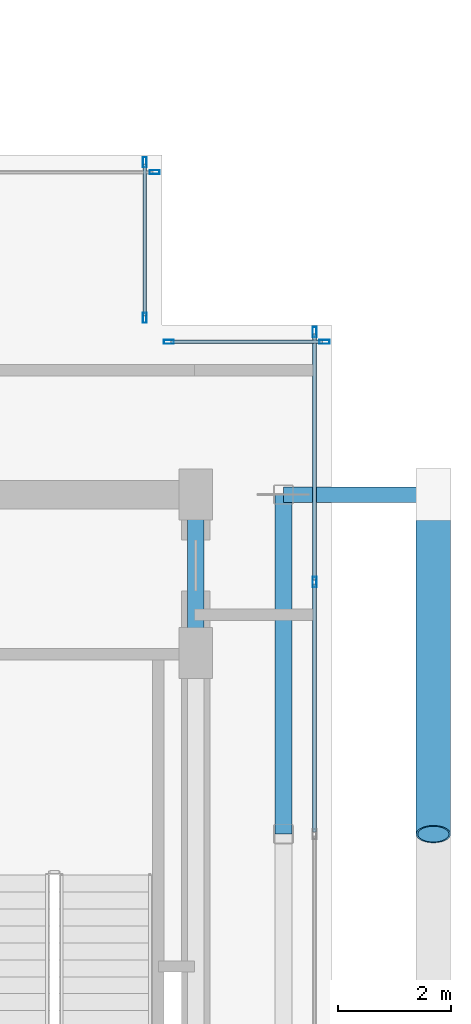
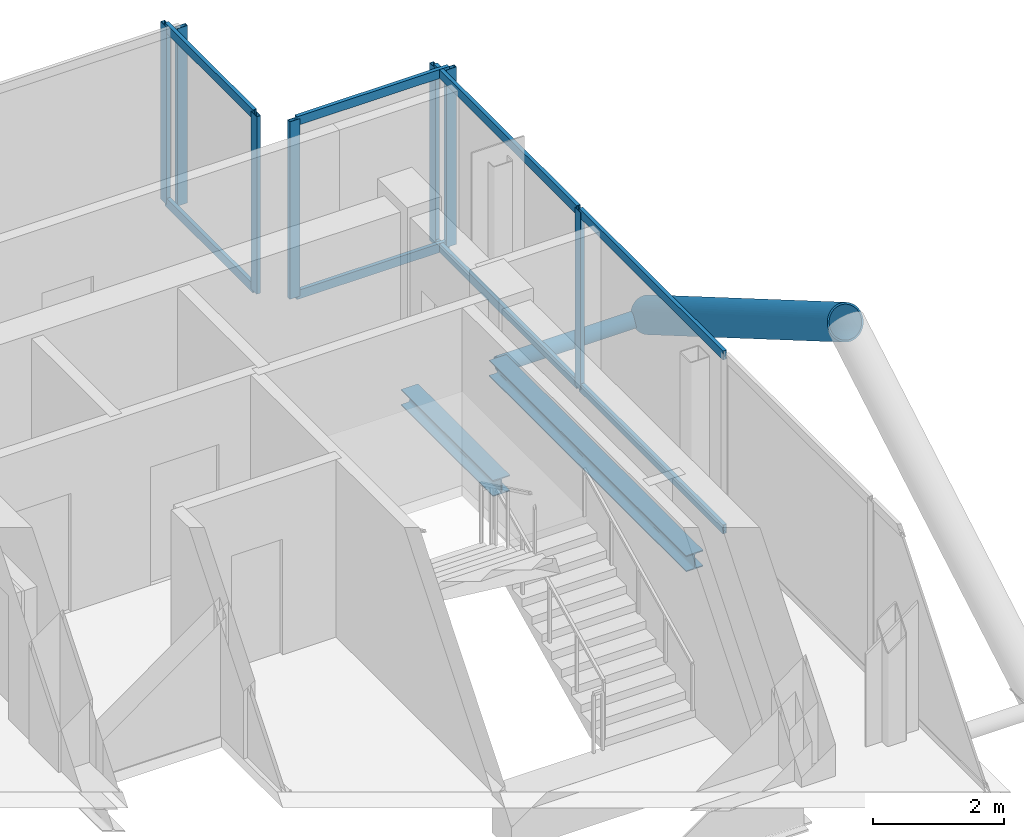
# One storey, part 13 of 19: 17 members, 2 beams, 4 elements without a shape of their own.
"""IFC4 building model written with IfcOpenShell, lengths in metres."""

import ifcopenshell
import ifcopenshell.guid

model = None  # the IFC model being written
_history = None  # IfcOwnerHistory: only IFC2X3 demands one
_inside = {}  # id of a spatial element -> (the spatial element, [elements in it])
_under = {}  # id of a project, library or spatial element -> (it, [spatial elements below it])
_declared = {}  # id of a project -> (the project, [libraries it declares])
_typed = {}  # id of a type object -> (the type object, [elements of that type])
_made_of = {}  # id of a material, layer set ... -> (it, [elements and type objects made of it])


def new_model(schema):
    """Start an empty IFC model of exactly this schema.

    Asked for "IFC4X3", IfcOpenShell would pick the latest addendum, in which some entities
    have other attributes; the version numbers below select the first issue.
    IFC2X3 requires an IfcOwnerHistory on every rooted entity: one is made here for all.
    """
    global model, _history
    if schema == "IFC4X3":
        model = ifcopenshell.file(schema_version=(4, 3, 0, 0))
    else:
        model = ifcopenshell.file(schema=schema)
    _inside.clear()
    _under.clear()
    _declared.clear()
    _typed.clear()
    _made_of.clear()
    _history = None
    if model.schema == "IFC2X3":
        org = make("IfcOrganization", Name="unknown")
        user = make(
            "IfcPersonAndOrganization",
            ThePerson=make("IfcPerson", FamilyName="unknown"),
            TheOrganization=org,
        )
        app = make(
            "IfcApplication",
            ApplicationDeveloper=org,
            Version="unknown",
            ApplicationFullName="unknown",
            ApplicationIdentifier="unknown",
        )
        _history = make(
            "IfcOwnerHistory",
            OwningUser=user,
            OwningApplication=app,
            ChangeAction="ADDED",
            CreationDate=0,
        )
    return model


def make(cls, **values):
    """One entity of the class cls with the attributes given. An attribute that is None is left unset."""
    return model.create_entity(
        cls, **{name: value for name, value in values.items() if value is not None}
    )


def rooted(cls, **values):
    """An entity with a GlobalId (a new one), such as an element, a storey or a relation."""
    return make(cls, GlobalId=ifcopenshell.guid.new(), OwnerHistory=_history, **values)


def si_unit(unit_type, name, prefix=None):
    """IfcSIUnit, for example si_unit("LENGTHUNIT", "METRE", prefix="MILLI")."""
    return make("IfcSIUnit", UnitType=unit_type, Prefix=prefix, Name=name)


def assignment(units):
    """IfcUnitAssignment: the units of a project."""
    return None if units is None else make("IfcUnitAssignment", Units=units)


def point(xyz):
    """IfcCartesianPoint."""
    return None if xyz is None else make("IfcCartesianPoint", Coordinates=xyz)


def direction(xyz):
    """IfcDirection."""
    return None if xyz is None else make("IfcDirection", DirectionRatios=xyz)


def frame(location, z_axis=None, x_axis=None):
    """IfcAxis2Placement3D, a coordinate frame: its origin and axes. An axis left out is left unset."""
    return make(
        "IfcAxis2Placement3D",
        Location=point(location),
        Axis=direction(z_axis),
        RefDirection=direction(x_axis),
    )


def frame_2d(location, x_axis=None):
    """IfcAxis2Placement2D, a coordinate frame in the plane: its origin and x axis."""
    return make(
        "IfcAxis2Placement2D", Location=point(location), RefDirection=direction(x_axis)
    )


def origin():
    """The frame at (0, 0, 0) with its axes left unset."""
    return frame((0.0, 0.0, 0.0))


def origin_2d():
    """The frame at (0, 0) in the plane with its x axis left unset."""
    return frame_2d((0.0, 0.0))


def place(relative_to, where):
    """IfcLocalPlacement: puts the frame where relative to a parent placement (None: the world)."""
    return make(
        "IfcLocalPlacement", PlacementRelTo=relative_to, RelativePlacement=where
    )


def context(
    kind, dimensions, precision=None, world=None, true_north=None, identifier=None
):
    """IfcGeometricRepresentationContext, for example the 3D "Model" context."""
    return make(
        "IfcGeometricRepresentationContext",
        ContextIdentifier=identifier,
        ContextType=kind,
        CoordinateSpaceDimension=dimensions,
        Precision=precision,
        WorldCoordinateSystem=world,
        TrueNorth=true_north,
    )


def subcontext(parent, identifier, kind, view, scale=None):
    """IfcGeometricRepresentationSubContext, for example "Body" below "Model"."""
    return make(
        "IfcGeometricRepresentationSubContext",
        ContextIdentifier=identifier,
        ContextType=kind,
        ParentContext=parent,
        TargetScale=scale,
        TargetView=view,
    )


def project(units=None, contexts=None):
    """IfcProject with its units and contexts."""
    return rooted(
        "IfcProject",
        Name="project",
        RepresentationContexts=contexts,
        UnitsInContext=assignment(units),
    )


def spatial(cls, under=None, at=None, **own):
    """A site, building, storey or space (cls), placed at a placement, below another one or the project."""
    s = rooted(cls, ObjectPlacement=at, **own)
    if under is not None:
        _under.setdefault(under.id(), (under, []))[1].append(s)
    return s


def profile(cls, at=None, kind="AREA", **sizes):
    """A parametric profile (cls). Its sizes go by their IFC names, for example OverallWidth=200.0."""
    return make(cls, ProfileType=kind, Position=at, **sizes)


def hollow_rectangle(**sizes):
    """IfcRectangleHollowProfileDef."""
    return profile("IfcRectangleHollowProfileDef", **sizes)


def hollow_circle(**sizes):
    """IfcCircleHollowProfileDef."""
    return profile("IfcCircleHollowProfileDef", **sizes)


def i_section(**sizes):
    """IfcIShapeProfileDef."""
    return profile("IfcIShapeProfileDef", **sizes)


def extrude(swept, where, along, depth):
    """IfcExtrudedAreaSolid: the profile swept, set in the frame where, extruded along a direction by depth."""
    return make(
        "IfcExtrudedAreaSolid",
        SweptArea=swept,
        Position=where,
        ExtrudedDirection=direction(along),
        Depth=depth,
    )


def shape(context_of_items, identifier, shape_type, items):
    """IfcShapeRepresentation: the items that make up one representation, for example the "Body"."""
    return make(
        "IfcShapeRepresentation",
        ContextOfItems=context_of_items,
        RepresentationIdentifier=identifier,
        RepresentationType=shape_type,
        Items=items,
    )


def material(Name=None, Category=None):
    """IfcMaterial."""
    return make("IfcMaterial", Name=Name, Category=Category)


def layer(
    of_material, thickness, ventilated=None, Name=None, Category=None, Priority=None
):
    """IfcMaterialLayer: one layer of a wall or slab, of a material (None: an air gap)."""
    return make(
        "IfcMaterialLayer",
        Material=of_material,
        LayerThickness=thickness,
        IsVentilated=ventilated,
        Name=Name,
        Category=Category,
        Priority=Priority,
    )


def layer_set(layers, Name=None):
    """IfcMaterialLayerSet."""
    return make("IfcMaterialLayerSet", MaterialLayers=layers, LayerSetName=Name)


def material_profile(
    of_material, cross_section, Name=None, Category=None, Priority=None
):
    """IfcMaterialProfile: a cross section and its material."""
    return make(
        "IfcMaterialProfile",
        Name=Name,
        Material=of_material,
        Profile=cross_section,
        Priority=Priority,
        Category=Category,
    )


def profile_set(profiles, Name=None, composite=None):
    """IfcMaterialProfileSet."""
    return make(
        "IfcMaterialProfileSet",
        Name=Name,
        MaterialProfiles=profiles,
        CompositeProfile=composite,
    )


def made_of(thing, what):
    """Note that an element or type object is made of a material, layer set ...; save() writes the relation."""
    if what is not None:
        _made_of.setdefault(what.id(), (what, []))[1].append(thing)
    return thing


def type_object(cls, material=None, **own):
    """A type object (cls), such as IfcWallType, which elements share."""
    return made_of(rooted(cls, **own), material)


def element(
    cls,
    number,
    at=None,
    inside=None,
    cuts=None,
    type_object=None,
    material=None,
    context=None,
    identifier="Body",
    shape_type=None,
    held_by="IfcProductDefinitionShape",
    body=None,
    shapes=None,
    **own,
):
    """One element of the class cls, such as IfcWall. Its Tag is "e" and its number.

    at: its placement. inside: the storey or other place that contains it. cuts: it is an
    opening in that element (IfcRelVoidsElement). A single representation is given by context,
    identifier, shape_type and body (its items); several are given by shapes. held_by: the class
    of the entity that holds the representations. save() writes the other relations.
    """
    e = rooted(cls, Tag="e%d" % number, ObjectPlacement=at, **own)
    if body is not None:
        shapes = [shape(context, identifier, shape_type, body)]
    if shapes is not None:
        e.Representation = make(held_by, Representations=shapes)
    if inside is not None:
        _inside.setdefault(inside.id(), (inside, []))[1].append(e)
    if cuts is not None:
        rooted(
            "IfcRelVoidsElement", RelatingBuildingElement=cuts, RelatedOpeningElement=e
        )
    if type_object is not None:
        _typed.setdefault(type_object.id(), (type_object, []))[1].append(e)
    return made_of(e, material)


def aggregate(whole, parts):
    """IfcRelAggregates: a whole, such as a stair, and the parts it consists of."""
    return rooted("IfcRelAggregates", RelatingObject=whole, RelatedObjects=parts)


def save(model, path):
    """Write the relations noted so far, then the file.

    IfcRelAggregates (storeys below a building ...), IfcRelContainedInSpatialStructure (elements
    in a storey), IfcRelDefinesByType, IfcRelAssociatesMaterial and IfcRelDeclares: one each for
    every whole, place, type object, material and project.
    """
    for whole, parts in _under.values():
        aggregate(whole, parts)
    for where, things in _inside.values():
        rooted(
            "IfcRelContainedInSpatialStructure",
            RelatedElements=things,
            RelatingStructure=where,
        )
    for kind, things in _typed.values():
        rooted("IfcRelDefinesByType", RelatedObjects=things, RelatingType=kind)
    for what, things in _made_of.values():
        rooted("IfcRelAssociatesMaterial", RelatedObjects=things, RelatingMaterial=what)
    for by, libraries in _declared.values():
        rooted("IfcRelDeclares", RelatingContext=by, RelatedDefinitions=libraries)
    model.write(path)


model = new_model("IFC4")

# Units and contexts
model_context = context("Model", 3, precision=1e-05, world=origin(), true_north=direction((0.0, 1.0)))
body_context = subcontext(model_context, "Body", "Model", "MODEL_VIEW")
ifc_project = project(units=[si_unit("LENGTHUNIT", "METRE"), si_unit("AREAUNIT", "SQUARE_METRE"), si_unit("VOLUMEUNIT", "CUBIC_METRE"), si_unit("PLANEANGLEUNIT", "RADIAN"), si_unit("MASSUNIT", "GRAM", prefix="KILO"), si_unit("THERMODYNAMICTEMPERATUREUNIT", "KELVIN"), si_unit("POWERUNIT", "WATT")], contexts=[model_context])

# Site, building, storey
site_placement = place(None, origin())
site = spatial("IfcSite", under=ifc_project, at=site_placement, CompositionType="ELEMENT")
building_placement = place(site_placement, origin())
building = spatial("IfcBuilding", under=site, at=building_placement, Name="Svarakhadi Broadcast Tower", CompositionType="ELEMENT")
storey_placement = place(building_placement, frame((0.0, 0.0, 257.199951171875)))
storey = spatial("IfcBuildingStorey", under=building, at=storey_placement, Name="L64", CompositionType="ELEMENT", Elevation=257.199951171875)

# Curtain wall, member
ifc_material_1 = material(Name="Anodised Bronze Aluminium AA 6063-T6", Category="aluminium")
ifc_layer = layer(ifc_material_1, 0.179931640625)
ifc_layer_set = layer_set([ifc_layer], Name="Anodised Bronze Aluminium AA 6063-T6")
curtain_wall_type = type_object("IfcCurtainWallType", Name="CW_Sys_05", PredefinedType="NOTDEFINED", material=ifc_layer_set)
curtain_wall_1_placement = place(storey_placement, origin())
curtain_wall_1 = element("IfcCurtainWall", 1, at=curtain_wall_1_placement, inside=storey, type_object=curtain_wall_type, Name="L64 Unitised Facade Curtain Wall 09", PredefinedType="NOTDEFINED")
ifc_material_profile_1 = material_profile(ifc_material_1, hollow_rectangle(XDim=0.070068359375, YDim=0.179931640625, WallThickness=0.005615234375, at=origin_2d()), Name="ALU MULLION 180x70x6")
ifc_profile_set_1 = profile_set([ifc_material_profile_1], Name="Anodised Bronze Aluminium AA 6063-T6")
member_type_1 = type_object("IfcMemberType", Name="CW_Sys_05_Mul", PredefinedType="MULLION", material=ifc_profile_set_1)
member_1_placement = place(storey_placement, frame((32.875, 23.699951171875, 0.0), z_axis=(0.0, 0.0, 1.0), x_axis=(0.0, 1.0, 0.0)))
member_1 = element("IfcMember", 2, at=member_1_placement, type_object=member_type_1, Name="CW-05 mullion 2", PredefinedType="MULLION", context=body_context, shape_type="SweptSolid", body=[
    extrude(hollow_rectangle(XDim=0.070068359375, YDim=0.179931640625, WallThickness=0.005615234375, at=origin_2d()), origin(), (0.0, 0.0, 1.0), 3.300048828125),
])
aggregate(curtain_wall_1, [member_1])

# Curtain wall, members
curtain_wall_2_placement = place(storey_placement, origin())
curtain_wall_2 = element("IfcCurtainWall", 3, at=curtain_wall_2_placement, inside=storey, type_object=curtain_wall_type, Name="L64 Unitised Facade Curtain Wall 10", PredefinedType="NOTDEFINED")
member_2_placement = place(storey_placement, frame((32.699951171875, 23.875, 0.0), z_axis=(0.0, 0.0, 1.0), x_axis=(1.0, 0.0, 0.0)))
member_2 = element("IfcMember", 4, at=member_2_placement, type_object=member_type_1, Name="CW-05 mullion 1", PredefinedType="MULLION", context=body_context, shape_type="SweptSolid", body=[
    extrude(hollow_rectangle(XDim=0.070068359375, YDim=0.179931640625, WallThickness=0.005615234375, at=origin_2d()), origin(), (0.0, 0.0, 1.0), 3.300048828125),
])
member_3_placement = place(storey_placement, frame((32.699951171875, 21.125, 0.0), z_axis=(0.0, 0.0, 1.0), x_axis=(1.0, 0.0, 0.0)))
member_3 = element("IfcMember", 5, at=member_3_placement, type_object=member_type_1, Name="CW-05 mullion 2", PredefinedType="MULLION", context=body_context, shape_type="SweptSolid", body=[
    extrude(hollow_rectangle(XDim=0.070068359375, YDim=0.179931640625, WallThickness=0.005615234375, at=origin_2d()), origin(), (0.0, 0.0, 1.0), 3.300048828125),
])

curtain_wall_3_placement = place(storey_placement, origin())
curtain_wall_3 = element("IfcCurtainWall", 6, at=curtain_wall_3_placement, inside=storey, type_object=curtain_wall_type, Name="L64 Unitised Facade Curtain Wall 11", PredefinedType="NOTDEFINED")
member_4_placement = place(storey_placement, frame((33.125, 20.699951171875, 0.0), z_axis=(0.0, 0.0, 1.0), x_axis=(0.0, 1.0, 0.0)))
member_4 = element("IfcMember", 7, at=member_4_placement, type_object=member_type_1, Name="CW-05 mullion 1", PredefinedType="MULLION", context=body_context, shape_type="SweptSolid", body=[
    extrude(hollow_rectangle(XDim=0.070068359375, YDim=0.179931640625, WallThickness=0.005615234375, at=origin_2d()), origin(), (0.0, 0.0, 1.0), 3.300048828125),
])
member_5_placement = place(storey_placement, frame((35.875, 20.699951171875, 0.0), z_axis=(0.0, 0.0, 1.0), x_axis=(0.0, 1.0, 0.0)))
member_5 = element("IfcMember", 8, at=member_5_placement, type_object=member_type_1, Name="CW-05 mullion 2", PredefinedType="MULLION", context=body_context, shape_type="SweptSolid", body=[
    extrude(hollow_rectangle(XDim=0.070068359375, YDim=0.179931640625, WallThickness=0.005615234375, at=origin_2d()), origin(), (0.0, 0.0, 1.0), 3.300048828125),
])

curtain_wall_4_placement = place(storey_placement, origin())
curtain_wall_4 = element("IfcCurtainWall", 9, at=curtain_wall_4_placement, inside=storey, type_object=curtain_wall_type, Name="L64 Unitised Facade Curtain Wall 12", PredefinedType="NOTDEFINED")
member_6_placement = place(storey_placement, frame((35.699951171875, 20.875, 0.0), z_axis=(0.0, 0.0, 1.0), x_axis=(1.0, 0.0, 0.0)))
member_6 = element("IfcMember", 10, at=member_6_placement, type_object=member_type_1, Name="CW-05 mullion 1", PredefinedType="MULLION", context=body_context, shape_type="SweptSolid", body=[
    extrude(hollow_rectangle(XDim=0.070068359375, YDim=0.179931640625, WallThickness=0.005615234375, at=origin_2d()), origin(), (0.0, 0.0, 1.0), 3.300048828125),
])
member_7_placement = place(storey_placement, frame((35.699951171875, 16.455078125, 0.0), z_axis=(0.0, 0.0, 1.0), x_axis=(1.0, 0.0, 0.0)))
member_7 = element("IfcMember", 11, at=member_7_placement, type_object=member_type_1, Name="CW-05 mullion 2", PredefinedType="MULLION", context=body_context, shape_type="SweptSolid", body=[
    extrude(hollow_rectangle(XDim=0.070068359375, YDim=0.179931640625, WallThickness=0.005615234375, at=origin_2d()), origin(), (0.0, 0.0, 1.0), 3.300048828125),
])

# Member
ifc_material_profile_2 = material_profile(ifc_material_1, hollow_rectangle(XDim=0.06494140625, YDim=0.1650390625, WallThickness=0.0048828125, at=origin_2d()), Name="ALU TRANSOM 165x65x5")
ifc_profile_set_2 = profile_set([ifc_material_profile_2], Name="Anodised Bronze Aluminium AA 6063-T6")
member_type_2 = type_object("IfcMemberType", Name="CW_Sys_05_Trn", PredefinedType="USERDEFINED", material=ifc_profile_set_2)
member_8_placement = place(storey_placement, frame((32.699951171875, 23.840087890625, 0.032470703125), z_axis=(0.0, -1.0, 0.0), x_axis=(1.0, 0.0, 0.0)))
member_8 = element("IfcMember", 12, at=member_8_placement, type_object=member_type_2, Name="CW-05 transom 1.1", ObjectType="TRANSOM", PredefinedType="USERDEFINED", context=body_context, shape_type="SweptSolid", body=[
    extrude(hollow_rectangle(XDim=0.06494140625, YDim=0.1650390625, WallThickness=0.0048828125, at=origin_2d()), origin(), (0.0, 0.0, 1.0), 2.68017578125),
])

member_9_placement = place(storey_placement, frame((32.699951171875, 23.840087890625, 3.267578125), z_axis=(0.0, -1.0, 0.0), x_axis=(1.0, 0.0, 0.0)))
member_9 = element("IfcMember", 13, at=member_9_placement, type_object=member_type_2, Name="CW-05 transom 1.2", ObjectType="TRANSOM", PredefinedType="USERDEFINED", context=body_context, shape_type="SweptSolid", body=[
    extrude(hollow_rectangle(XDim=0.06494140625, YDim=0.1650390625, WallThickness=0.0048828125, at=origin_2d()), origin(), (0.0, 0.0, 1.0), 2.68017578125),
])

aggregate(curtain_wall_2, [member_2, member_3, member_8, member_9])

member_10_placement = place(storey_placement, frame((33.159912109375, 20.699951171875, 0.032470703125), z_axis=(1.0, 0.0, 0.0), x_axis=(0.0, 1.0, 0.0)))
member_10 = element("IfcMember", 14, at=member_10_placement, type_object=member_type_2, Name="CW-05 transom 1.1", ObjectType="TRANSOM", PredefinedType="USERDEFINED", context=body_context, shape_type="SweptSolid", body=[
    extrude(hollow_rectangle(XDim=0.06494140625, YDim=0.1650390625, WallThickness=0.0048828125, at=origin_2d()), origin(), (0.0, 0.0, 1.0), 2.68017578125),
])

member_11_placement = place(storey_placement, frame((33.159912109375, 20.699951171875, 3.267578125), z_axis=(1.0, 0.0, 0.0), x_axis=(0.0, 1.0, 0.0)))
member_11 = element("IfcMember", 15, at=member_11_placement, type_object=member_type_2, Name="CW-05 transom 1.2", ObjectType="TRANSOM", PredefinedType="USERDEFINED", context=body_context, shape_type="SweptSolid", body=[
    extrude(hollow_rectangle(XDim=0.06494140625, YDim=0.1650390625, WallThickness=0.0048828125, at=origin_2d()), origin(), (0.0, 0.0, 1.0), 2.68017578125),
])

aggregate(curtain_wall_3, [member_4, member_5, member_10, member_11])

member_12_placement = place(storey_placement, frame((35.699951171875, 20.840087890625, 0.032470703125), z_axis=(0.0, -1.0, 0.0), x_axis=(1.0, 0.0, 0.0)))
member_12 = element("IfcMember", 16, at=member_12_placement, type_object=member_type_2, Name="CW-05 transom 1.1", ObjectType="TRANSOM", PredefinedType="USERDEFINED", context=body_context, shape_type="SweptSolid", body=[
    extrude(hollow_rectangle(XDim=0.06494140625, YDim=0.1650390625, WallThickness=0.0048828125, at=origin_2d()), origin(), (0.0, 0.0, 1.0), 4.35009765625),
])

member_13_placement = place(storey_placement, frame((35.699951171875, 20.840087890625, 3.267578125), z_axis=(0.0, -1.0, 0.0), x_axis=(1.0, 0.0, 0.0)))
member_13 = element("IfcMember", 17, at=member_13_placement, type_object=member_type_2, Name="CW-05 transom 1.2", ObjectType="TRANSOM", PredefinedType="USERDEFINED", context=body_context, shape_type="SweptSolid", body=[
    extrude(hollow_rectangle(XDim=0.06494140625, YDim=0.1650390625, WallThickness=0.0048828125, at=origin_2d()), origin(), (0.0, 0.0, 1.0), 4.35009765625),
])

member_14_placement = place(storey_placement, frame((35.699951171875, 16.419921875, 0.032470703125), z_axis=(0.0, -1.0, 0.0), x_axis=(1.0, 0.0, 0.0)))
member_14 = element("IfcMember", 18, at=member_14_placement, type_object=member_type_2, Name="CW-05 transom 2.1", ObjectType="TRANSOM", PredefinedType="USERDEFINED", context=body_context, shape_type="SweptSolid", body=[
    extrude(hollow_rectangle(XDim=0.06494140625, YDim=0.1650390625, WallThickness=0.0048828125, at=origin_2d()), origin(), (0.0, 0.0, 1.0), 4.385009765625),
])

member_15_placement = place(storey_placement, frame((35.699951171875, 16.419921875, 3.267578125), z_axis=(0.0, -1.0, 0.0), x_axis=(1.0, 0.0, 0.0)))
member_15 = element("IfcMember", 19, at=member_15_placement, type_object=member_type_2, Name="CW-05 transom 2.2", ObjectType="TRANSOM", PredefinedType="USERDEFINED", context=body_context, shape_type="SweptSolid", body=[
    extrude(hollow_rectangle(XDim=0.06494140625, YDim=0.1650390625, WallThickness=0.0048828125, at=origin_2d()), origin(), (0.0, 0.0, 1.0), 4.385009765625),
])

aggregate(curtain_wall_4, [member_6, member_7, member_12, member_13, member_14, member_15])

# Members
ifc_material_2 = material(Name="Steel S460ML (IS 2062 E450BR)", Category="steel")
ifc_material_profile_3 = material_profile(ifc_material_2, hollow_circle(Radius=0.304931640625, WallThickness=0.030029296875, at=origin_2d()), Name="CHS 610x30")
ifc_profile_set_3 = profile_set([ifc_material_profile_3], Name="Steel S460ML (IS 2062 E450BR)")
member_type_3 = type_object("IfcMemberType", Name="Exo_Brace_CHS610", PredefinedType="BRACE", material=ifc_profile_set_3)
member_16_placement = place(storey_placement, frame((37.800048828125, 18.0, -0.33642578125), z_axis=(0.0, -0.863778900898, 0.503871025524), x_axis=(1.0, 0.0, 0.0)))
element("IfcMember", 20, at=member_16_placement, inside=storey, type_object=member_type_3, Name="L64 Exposed Bronze Exoskeleton Diagonal E05", PredefinedType="BRACE", context=body_context, shape_type="SweptSolid", body=[
    extrude(hollow_circle(Radius=0.304931640625, WallThickness=0.030029296875, at=origin_2d()), origin(), (0.0, 0.0, 1.0), 6.9462890625),
])
ifc_material_profile_4 = material_profile(ifc_material_2, hollow_circle(Radius=0.136474609375, WallThickness=0.012451171875, at=origin_2d()), Name="CHS 273x12.5")
ifc_profile_set_4 = profile_set([ifc_material_profile_4], Name="Steel S460ML (IS 2062 E450BR)")
member_type_4 = type_object("IfcMemberType", Name="Exo_Radial_Strut_Z3", PredefinedType="STRUT", material=ifc_profile_set_4)
member_17_placement = place(storey_placement, frame((37.800048828125, 18.0, -0.33642578125), z_axis=(-1.0, 0.0, 0.0), x_axis=(0.0, -1.0, 0.0)))
element("IfcMember", 21, at=member_17_placement, inside=storey, type_object=member_type_4, Name="L64 Exoskeleton Radial Tie Strut E06", PredefinedType="STRUT", context=body_context, shape_type="SweptSolid", body=[
    extrude(hollow_circle(Radius=0.136474609375, WallThickness=0.012451171875, at=origin_2d()), origin(), (0.0, 0.0, 1.0), 2.650146484375),
])

# Beams
ifc_material_3 = material(Name="Steel S355J2 (IS 2062 E350C)", Category="steel")
ifc_material_profile_5 = material_profile(ifc_material_3, i_section(OverallWidth=0.300048828125, OverallDepth=0.300048828125, WebThickness=0.010986328125, FlangeThickness=0.01904296875, FilletRadius=0.027099609375, at=origin_2d()), Name="WPB 300x300x117")
ifc_profile_set_5 = profile_set([ifc_material_profile_5], Name="Steel S355J2 (IS 2062 E350C)")
beam_type = type_object("IfcBeamType", Name="Girder_WPB300", PredefinedType="USERDEFINED", material=ifc_profile_set_5)
beam_1_placement = place(storey_placement, frame((33.60009765625, 15.199951171875, -0.349853515625), z_axis=(0.0, 1.0, 0.0), x_axis=(-1.0, 0.0, 0.0)))
element("IfcBeam", 22, at=beam_1_placement, inside=storey, type_object=beam_type, Name="L64 Primary N-S Girder G044", ObjectType="GIRDER", PredefinedType="USERDEFINED", context=body_context, shape_type="SweptSolid", body=[
    extrude(i_section(OverallWidth=0.300048828125, OverallDepth=0.300048828125, WebThickness=0.010986328125, FlangeThickness=0.01904296875, FilletRadius=0.027099609375, at=origin_2d()), origin(), (0.0, 0.0, 1.0), 2.800048828125),
])
beam_2_placement = place(storey_placement, frame((35.14990234375, 12.0, -0.349853515625), z_axis=(0.0, 1.0, 0.0), x_axis=(-1.0, 0.0, 0.0)))
element("IfcBeam", 23, at=beam_2_placement, inside=storey, type_object=beam_type, Name="L64 Primary N-S Girder G046", ObjectType="GIRDER", PredefinedType="USERDEFINED", context=body_context, shape_type="SweptSolid", body=[
    extrude(i_section(OverallWidth=0.300048828125, OverallDepth=0.300048828125, WebThickness=0.010986328125, FlangeThickness=0.01904296875, FilletRadius=0.027099609375, at=origin_2d()), origin(), (0.0, 0.0, 1.0), 6.0),
])

save(model, "model.ifc")
